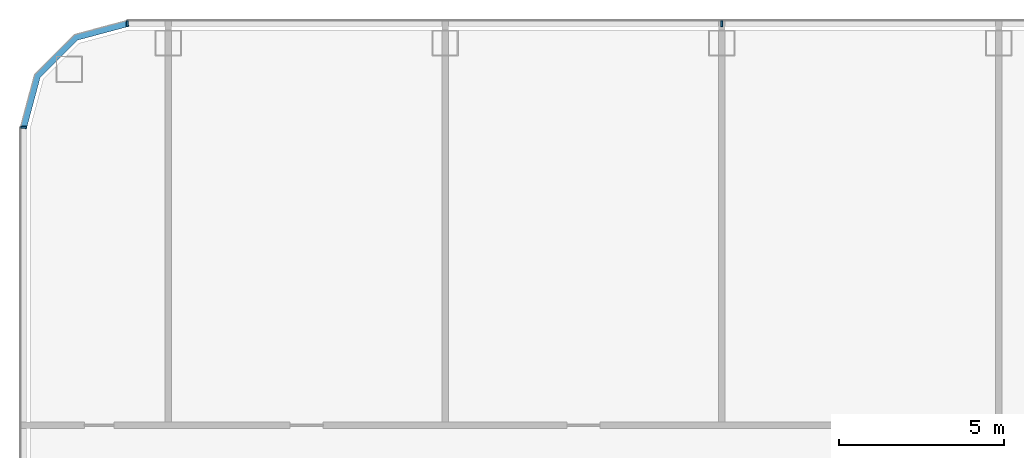
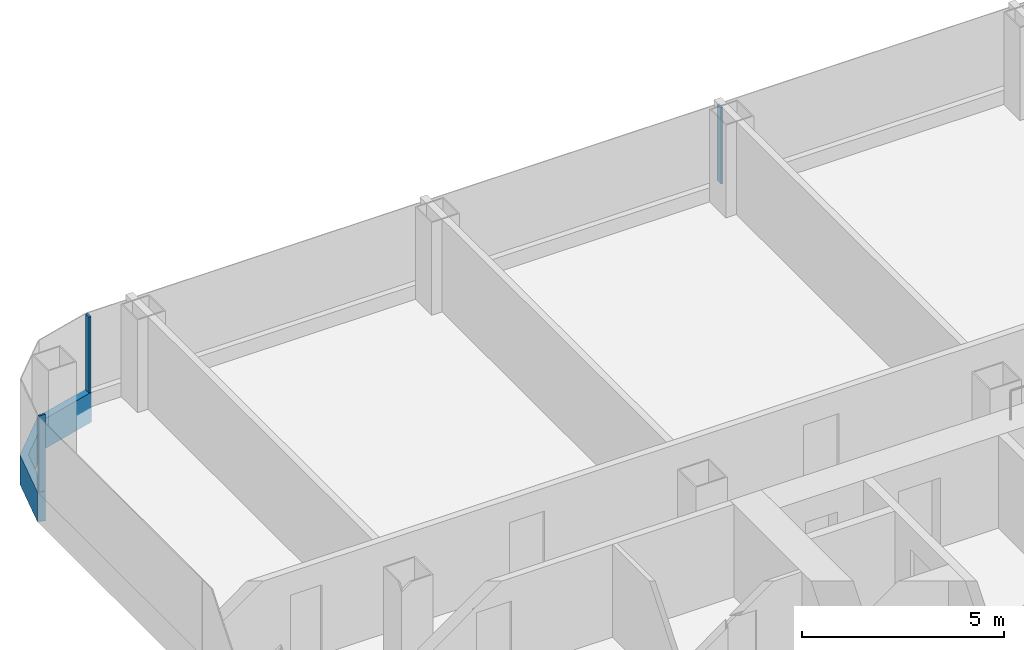
# One storey, part 7 of 29: 4 members, 3 elements without a shape of their own.
"""IFC4 building model written with IfcOpenShell, lengths in metres."""

from ifc_helpers import new_model, si_unit, direction, frame, origin, origin_2d, place, context, subcontext, project, spatial, polyline, rectangle, outline, extrude, material, layer, layer_set, material_profile, profile_set, type_object, element, aggregate, save


model = new_model("IFC4")

# Units and contexts
model_context = context("Model", 3, precision=1e-05, world=origin(), true_north=direction((0.0, 1.0)))
body_context = subcontext(model_context, "Body", "Model", "MODEL_VIEW")
ifc_project = project(units=[si_unit("LENGTHUNIT", "METRE"), si_unit("AREAUNIT", "SQUARE_METRE"), si_unit("VOLUMEUNIT", "CUBIC_METRE"), si_unit("PLANEANGLEUNIT", "RADIAN"), si_unit("MASSUNIT", "GRAM", prefix="KILO")], contexts=[model_context])

# Site, building, storey
site_placement = place(None, origin())
site = spatial("IfcSite", under=ifc_project, at=site_placement, CompositionType="ELEMENT")
building_placement = place(site_placement, origin())
building = spatial("IfcBuilding", under=site, at=building_placement, Name="Hakoniwa Tower and Hamabe Station Hall", CompositionType="ELEMENT")
storey_placement = place(building_placement, frame((0.0, 0.0, 88.199951171875)))
storey = spatial("IfcBuildingStorey", under=building, at=storey_placement, Name="L24", CompositionType="ELEMENT", Elevation=88.199951171875)

# Curtain wall, member
ifc_material_1 = material(Name="Dark low-e laminated glass", Category="glass")
ifc_layer = layer(ifc_material_1, 0.199951171875)
ifc_layer_set = layer_set([ifc_layer], Name="CW-1 UNITISED GUEST")
curtain_wall_type = type_object("IfcCurtainWallType", Name="CW-1 UNITISED GUEST", PredefinedType="NOTDEFINED", material=ifc_layer_set)
curtain_wall_1_placement = place(storey_placement, origin())
curtain_wall_1 = element("IfcCurtainWall", 1, at=curtain_wall_1_placement, inside=storey, type_object=curtain_wall_type, Name="CW-1 curtain wall", PredefinedType="NOTDEFINED")
ifc_material_2 = material(Name="Aluminium 6063-T5 black anodised", Category="aluminium")
ifc_material_profile_1 = material_profile(ifc_material_2, rectangle(XDim=0.199951171875, YDim=0.89990234375, at=origin_2d()), Name="CW SLAB-EDGE BAND 900X200")
ifc_profile_set_1 = profile_set([ifc_material_profile_1], Name="Aluminium 6063-T5 black anodised")
member_type_1 = type_object("IfcMemberType", Name="CW SLAB-EDGE BAND 900X200", PredefinedType="USERDEFINED", material=ifc_profile_set_1)
member_1_placement = place(storey_placement, frame((0.0, 0.0, -0.550048828125)))
member_1 = element("IfcMember", 2, at=member_1_placement, type_object=member_type_1, Name="CW-1 transom", ObjectType="TRANSOM", PredefinedType="USERDEFINED", context=body_context, shape_type="SweptSolid", body=[
    extrude(outline(polyline([(-43.239501953125, 23.550048828125), (-44.855224609375, 23.116943359375), (-46.067138671875, 21.9052734375), (-46.5, 20.28955078125), (-46.306884765625, 20.23779296875), (-45.8876953125, 21.8017578125), (-44.751708984375, 22.937744140625), (-43.187744140625, 23.35693359375), (-43.239501953125, 23.550048828125)])), origin(), (0.0, 0.0, 1.0), 0.900146484375),
])
aggregate(curtain_wall_1, [member_1])

# Curtain wall, members
curtain_wall_2_placement = place(storey_placement, origin())
curtain_wall_2 = element("IfcCurtainWall", 3, at=curtain_wall_2_placement, inside=storey, type_object=curtain_wall_type, Name="CW-1 curtain wall", PredefinedType="NOTDEFINED")
ifc_material_3 = material(Name="Aluminium 6063-T5 black anodised", Category="aluminium")
ifc_material_profile_2 = material_profile(ifc_material_3, rectangle(XDim=0.06005859375, YDim=0.179931640625, at=origin_2d()), Name="CW-1 MULLION 60X180")
ifc_profile_set_2 = profile_set([ifc_material_profile_2], Name="Aluminium 6063-T5 black anodised")
member_type_2 = type_object("IfcMemberType", Name="CW-1 MULLION 60X180", PredefinedType="MULLION", material=ifc_profile_set_2)
member_2_placement = place(storey_placement, frame((-25.199951171875, 23.431884765625, 0.35009765625), z_axis=(0.0, 0.0, 1.0), x_axis=(-1.0, 0.0, 0.0)))
member_2 = element("IfcMember", 4, at=member_2_placement, type_object=member_type_2, Name="CW-1 mullion", PredefinedType="MULLION", context=body_context, shape_type="SweptSolid", body=[
    extrude(rectangle(XDim=0.06005859375, YDim=0.179931640625, at=origin_2d()), origin(), (0.0, 0.0, 1.0), 2.300048828125),
])
member_3_placement = place(storey_placement, frame((-43.239501953125, 23.431884765625, 0.35009765625), z_axis=(0.0, 0.0, 1.0), x_axis=(-1.0, 0.0, 0.0)))
member_3 = element("IfcMember", 5, at=member_3_placement, type_object=member_type_2, Name="CW-1 mullion", PredefinedType="MULLION", context=body_context, shape_type="SweptSolid", body=[
    extrude(rectangle(XDim=0.06005859375, YDim=0.179931640625, at=origin_2d()), origin(), (0.0, 0.0, 1.0), 2.300048828125),
])
aggregate(curtain_wall_2, [member_2, member_3])

# Curtain wall, member
curtain_wall_3_placement = place(storey_placement, origin())
curtain_wall_3 = element("IfcCurtainWall", 6, at=curtain_wall_3_placement, inside=storey, type_object=curtain_wall_type, Name="CW-1 curtain wall", PredefinedType="NOTDEFINED")
member_4_placement = place(storey_placement, frame((-46.382080078125, 20.28955078125, 0.35009765625), z_axis=(0.0, 0.0, 1.0), x_axis=(0.0, -1.0, 0.0)))
member_4 = element("IfcMember", 7, at=member_4_placement, type_object=member_type_2, Name="CW-1 mullion", PredefinedType="MULLION", context=body_context, shape_type="SweptSolid", body=[
    extrude(rectangle(XDim=0.06005859375, YDim=0.179931640625, at=origin_2d()), origin(), (0.0, 0.0, 1.0), 2.300048828125),
])
aggregate(curtain_wall_3, [member_4])

save(model, "model.ifc")
